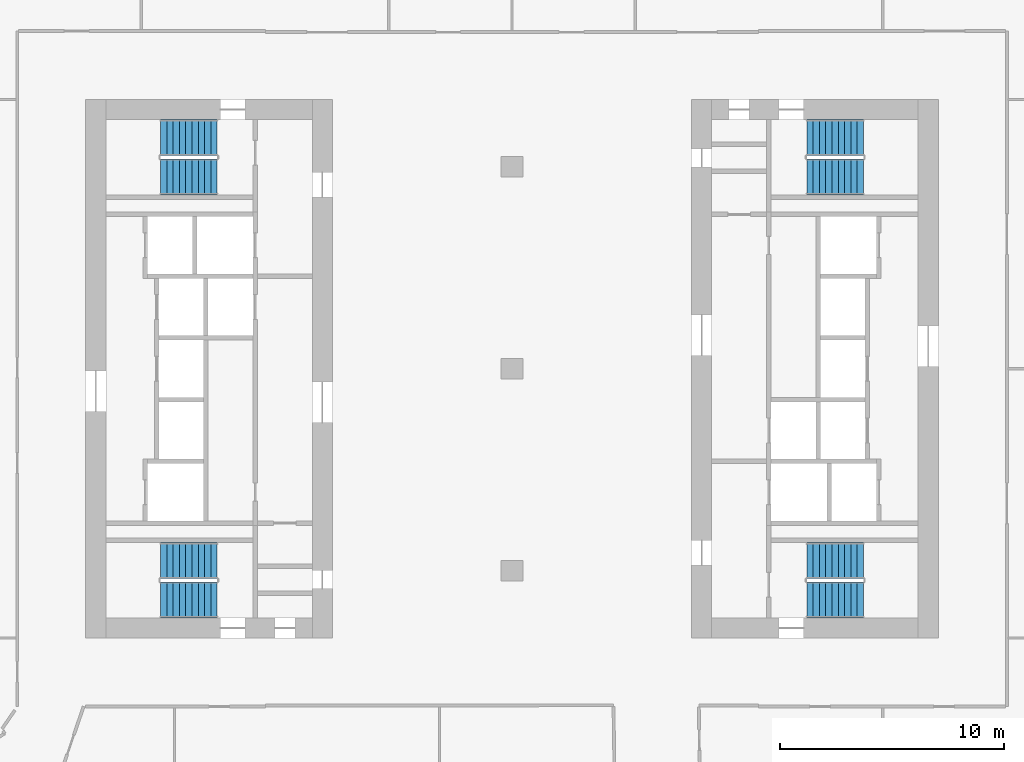
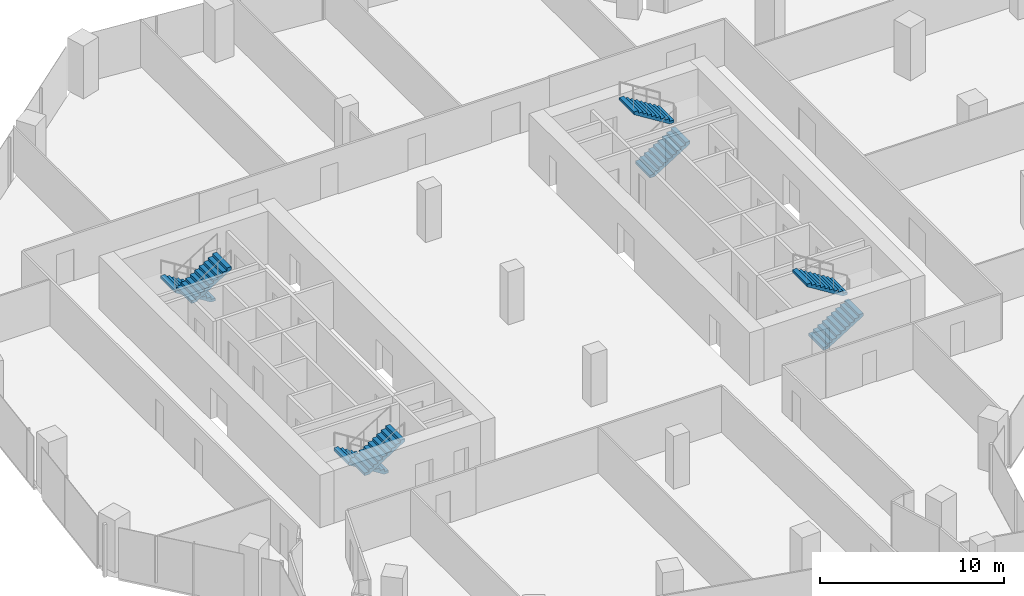
# One storey, part 23 of 24: 8 stair flights, 4 elements without a shape of their own.
"""IFC4 building model written with IfcOpenShell, lengths in metres."""

from ifc_helpers import new_model, si_unit, direction, frame, origin, place, context, subcontext, project, spatial, polyline, outline, extrude, material, type_object, element, aggregate, save


model = new_model("IFC4")

# Units and contexts
model_context = context("Model", 3, precision=1e-05, world=origin(), true_north=direction((0.0, 1.0)))
body_context = subcontext(model_context, "Body", "Model", "MODEL_VIEW")
ifc_project = project(units=[si_unit("LENGTHUNIT", "METRE"), si_unit("AREAUNIT", "SQUARE_METRE"), si_unit("VOLUMEUNIT", "CUBIC_METRE"), si_unit("PLANEANGLEUNIT", "RADIAN"), si_unit("MASSUNIT", "GRAM", prefix="KILO")], contexts=[model_context])

# Site, building, storey
site_placement = place(None, origin())
site = spatial("IfcSite", under=ifc_project, at=site_placement, CompositionType="ELEMENT")
building_placement = place(site_placement, origin())
building = spatial("IfcBuilding", under=site, at=building_placement, Name="Orlundy Tower", CompositionType="ELEMENT")
storey_placement = place(building_placement, frame((0.0, 0.0, 177.60009765625)))
storey = spatial("IfcBuildingStorey", under=building, at=storey_placement, Name="L46", CompositionType="ELEMENT", Elevation=177.60009765625)

# Stair, stair flights
ifc_material_1 = material(Name="Concrete C50/60", Category="concrete")
stair_type = type_object("IfcStairType", Name="Exit Stair 20 risers", PredefinedType="HALF_TURN_STAIR", material=ifc_material_1)
stair_1_placement = place(storey_placement, origin())
stair_1 = element("IfcStair", 1, at=stair_1_placement, inside=storey, type_object=stair_type, Name="L46 Exit Stair ST-W1", PredefinedType="HALF_TURN_STAIR")
ifc_material_2 = material(Name="Concrete C50/60", Category="concrete")
stair_flight_type = type_object("IfcStairFlightType", Name="Stair Flight 10 risers", PredefinedType="STRAIGHT", material=ifc_material_2)
stair_flight_1_placement = place(storey_placement, frame((-13.139892578125, 10.300048828125, 0.0), z_axis=(0.0, 0.0, 1.0), x_axis=(-1.0, 0.0, 0.0)))
stair_flight_1 = element("IfcStairFlight", 2, at=stair_flight_1_placement, type_object=stair_flight_type, Name="ST-W1 flight 1", NumberOfRisers=10, NumberOfTreads=9, PredefinedType="STRAIGHT", RiserHeight=0.175, TreadLength=0.28, context=body_context, shape_type="SweptSolid", body=[
    extrude(outline(polyline([(0.0, 0.0), (0.0, 0.175048828125), (0.280029296875, 0.175048828125), (0.280029296875, 0.35009765625), (0.56005859375, 0.35009765625), (0.56005859375, 0.52490234375), (0.840087890625, 0.52490234375), (0.840087890625, 0.699951171875), (1.1201171875, 0.699951171875), (1.1201171875, 0.875), (1.39990234375, 0.875), (1.39990234375, 1.050048828125), (1.679931640625, 1.050048828125), (1.679931640625, 1.22509765625), (1.9599609375, 1.22509765625), (1.9599609375, 1.39990234375), (2.239990234375, 1.39990234375), (2.239990234375, 1.574951171875), (2.52001953125, 1.574951171875), (2.52001953125, 1.75), (2.52001953125, 1.398193359375), (0.28271484375, 0.0), (0.0, 0.0)])), frame((0.0, 0.800048828125, 0.0), z_axis=(0.0, -1.0, 0.0), x_axis=(1.0, 0.0, 0.0)), (0.0, 0.0, 1.0), 1.60009765625),
])
stair_flight_2_placement = place(storey_placement, frame((-15.659912109375, 8.550048828125, 1.75), z_axis=(0.0, 0.0, 1.0), x_axis=(1.0, 0.0, 0.0)))
stair_flight_2 = element("IfcStairFlight", 3, at=stair_flight_2_placement, type_object=stair_flight_type, Name="ST-W1 flight 2", NumberOfRisers=10, NumberOfTreads=9, PredefinedType="STRAIGHT", RiserHeight=0.175, TreadLength=0.28, context=body_context, shape_type="SweptSolid", body=[
    extrude(outline(polyline([(0.0, 0.0), (0.0, 0.175048828125), (0.280029296875, 0.175048828125), (0.280029296875, 0.35009765625), (0.56005859375, 0.35009765625), (0.56005859375, 0.52490234375), (0.840087890625, 0.52490234375), (0.840087890625, 0.699951171875), (1.1201171875, 0.699951171875), (1.1201171875, 0.875), (1.39990234375, 0.875), (1.39990234375, 1.050048828125), (1.679931640625, 1.050048828125), (1.679931640625, 1.22509765625), (1.9599609375, 1.22509765625), (1.9599609375, 1.39990234375), (2.239990234375, 1.39990234375), (2.239990234375, 1.574951171875), (2.52001953125, 1.574951171875), (2.52001953125, 1.75), (2.52001953125, 1.398193359375), (0.28271484375, 0.0), (0.0, 0.0)])), frame((0.0, 0.800048828125, 0.0), z_axis=(0.0, -1.0, 0.0), x_axis=(1.0, 0.0, 0.0)), (0.0, 0.0, 1.0), 1.60009765625),
])
aggregate(stair_1, [stair_flight_1, stair_flight_2])

stair_2_placement = place(storey_placement, origin())
stair_2 = element("IfcStair", 4, at=stair_2_placement, inside=storey, type_object=stair_type, Name="L46 Exit Stair ST-W2", PredefinedType="HALF_TURN_STAIR")
stair_flight_3_placement = place(storey_placement, frame((-13.139892578125, -8.550048828125, 0.0), z_axis=(0.0, 0.0, 1.0), x_axis=(-1.0, 0.0, 0.0)))
stair_flight_3 = element("IfcStairFlight", 5, at=stair_flight_3_placement, type_object=stair_flight_type, Name="ST-W2 flight 1", NumberOfRisers=10, NumberOfTreads=9, PredefinedType="STRAIGHT", RiserHeight=0.175, TreadLength=0.28, context=body_context, shape_type="SweptSolid", body=[
    extrude(outline(polyline([(0.0, 0.0), (0.0, 0.175048828125), (0.280029296875, 0.175048828125), (0.280029296875, 0.35009765625), (0.56005859375, 0.35009765625), (0.56005859375, 0.52490234375), (0.840087890625, 0.52490234375), (0.840087890625, 0.699951171875), (1.1201171875, 0.699951171875), (1.1201171875, 0.875), (1.39990234375, 0.875), (1.39990234375, 1.050048828125), (1.679931640625, 1.050048828125), (1.679931640625, 1.22509765625), (1.9599609375, 1.22509765625), (1.9599609375, 1.39990234375), (2.239990234375, 1.39990234375), (2.239990234375, 1.574951171875), (2.52001953125, 1.574951171875), (2.52001953125, 1.75), (2.52001953125, 1.398193359375), (0.28271484375, 0.0), (0.0, 0.0)])), frame((0.0, 0.800048828125, 0.0), z_axis=(0.0, -1.0, 0.0), x_axis=(1.0, 0.0, 0.0)), (0.0, 0.0, 1.0), 1.60009765625),
])
stair_flight_4_placement = place(storey_placement, frame((-15.659912109375, -10.300048828125, 1.75), z_axis=(0.0, 0.0, 1.0), x_axis=(1.0, 0.0, 0.0)))
stair_flight_4 = element("IfcStairFlight", 6, at=stair_flight_4_placement, type_object=stair_flight_type, Name="ST-W2 flight 2", NumberOfRisers=10, NumberOfTreads=9, PredefinedType="STRAIGHT", RiserHeight=0.175, TreadLength=0.28, context=body_context, shape_type="SweptSolid", body=[
    extrude(outline(polyline([(0.0, 0.0), (0.0, 0.175048828125), (0.280029296875, 0.175048828125), (0.280029296875, 0.35009765625), (0.56005859375, 0.35009765625), (0.56005859375, 0.52490234375), (0.840087890625, 0.52490234375), (0.840087890625, 0.699951171875), (1.1201171875, 0.699951171875), (1.1201171875, 0.875), (1.39990234375, 0.875), (1.39990234375, 1.050048828125), (1.679931640625, 1.050048828125), (1.679931640625, 1.22509765625), (1.9599609375, 1.22509765625), (1.9599609375, 1.39990234375), (2.239990234375, 1.39990234375), (2.239990234375, 1.574951171875), (2.52001953125, 1.574951171875), (2.52001953125, 1.75), (2.52001953125, 1.398193359375), (0.28271484375, 0.0), (0.0, 0.0)])), frame((0.0, 0.800048828125, 0.0), z_axis=(0.0, -1.0, 0.0), x_axis=(1.0, 0.0, 0.0)), (0.0, 0.0, 1.0), 1.60009765625),
])
aggregate(stair_2, [stair_flight_3, stair_flight_4])

stair_3_placement = place(storey_placement, origin())
stair_3 = element("IfcStair", 7, at=stair_3_placement, inside=storey, type_object=stair_type, Name="L46 Exit Stair ST-E1", PredefinedType="HALF_TURN_STAIR")
stair_flight_5_placement = place(storey_placement, frame((13.139892578125, -10.300048828125, 0.0), z_axis=(0.0, 0.0, 1.0), x_axis=(1.0, 0.0, 0.0)))
stair_flight_5 = element("IfcStairFlight", 8, at=stair_flight_5_placement, type_object=stair_flight_type, Name="ST-E1 flight 1", NumberOfRisers=10, NumberOfTreads=9, PredefinedType="STRAIGHT", RiserHeight=0.175, TreadLength=0.28, context=body_context, shape_type="SweptSolid", body=[
    extrude(outline(polyline([(0.0, 0.0), (0.0, 0.175048828125), (0.280029296875, 0.175048828125), (0.280029296875, 0.35009765625), (0.56005859375, 0.35009765625), (0.56005859375, 0.52490234375), (0.840087890625, 0.52490234375), (0.840087890625, 0.699951171875), (1.1201171875, 0.699951171875), (1.1201171875, 0.875), (1.39990234375, 0.875), (1.39990234375, 1.050048828125), (1.679931640625, 1.050048828125), (1.679931640625, 1.22509765625), (1.9599609375, 1.22509765625), (1.9599609375, 1.39990234375), (2.239990234375, 1.39990234375), (2.239990234375, 1.574951171875), (2.52001953125, 1.574951171875), (2.52001953125, 1.75), (2.52001953125, 1.398193359375), (0.28271484375, 0.0), (0.0, 0.0)])), frame((0.0, 0.800048828125, 0.0), z_axis=(0.0, -1.0, 0.0), x_axis=(1.0, 0.0, 0.0)), (0.0, 0.0, 1.0), 1.60009765625),
])
stair_flight_6_placement = place(storey_placement, frame((15.659912109375, -8.550048828125, 1.75), z_axis=(0.0, 0.0, 1.0), x_axis=(-1.0, 0.0, 0.0)))
stair_flight_6 = element("IfcStairFlight", 9, at=stair_flight_6_placement, type_object=stair_flight_type, Name="ST-E1 flight 2", NumberOfRisers=10, NumberOfTreads=9, PredefinedType="STRAIGHT", RiserHeight=0.175, TreadLength=0.28, context=body_context, shape_type="SweptSolid", body=[
    extrude(outline(polyline([(0.0, 0.0), (0.0, 0.175048828125), (0.280029296875, 0.175048828125), (0.280029296875, 0.35009765625), (0.56005859375, 0.35009765625), (0.56005859375, 0.52490234375), (0.840087890625, 0.52490234375), (0.840087890625, 0.699951171875), (1.1201171875, 0.699951171875), (1.1201171875, 0.875), (1.39990234375, 0.875), (1.39990234375, 1.050048828125), (1.679931640625, 1.050048828125), (1.679931640625, 1.22509765625), (1.9599609375, 1.22509765625), (1.9599609375, 1.39990234375), (2.239990234375, 1.39990234375), (2.239990234375, 1.574951171875), (2.52001953125, 1.574951171875), (2.52001953125, 1.75), (2.52001953125, 1.398193359375), (0.28271484375, 0.0), (0.0, 0.0)])), frame((0.0, 0.800048828125, 0.0), z_axis=(0.0, -1.0, 0.0), x_axis=(1.0, 0.0, 0.0)), (0.0, 0.0, 1.0), 1.60009765625),
])
aggregate(stair_3, [stair_flight_5, stair_flight_6])

stair_4_placement = place(storey_placement, origin())
stair_4 = element("IfcStair", 10, at=stair_4_placement, inside=storey, type_object=stair_type, Name="L46 Exit Stair ST-E2", PredefinedType="HALF_TURN_STAIR")
stair_flight_7_placement = place(storey_placement, frame((13.139892578125, 8.550048828125, 0.0), z_axis=(0.0, 0.0, 1.0), x_axis=(1.0, 0.0, 0.0)))
stair_flight_7 = element("IfcStairFlight", 11, at=stair_flight_7_placement, type_object=stair_flight_type, Name="ST-E2 flight 1", NumberOfRisers=10, NumberOfTreads=9, PredefinedType="STRAIGHT", RiserHeight=0.175, TreadLength=0.28, context=body_context, shape_type="SweptSolid", body=[
    extrude(outline(polyline([(0.0, 0.0), (0.0, 0.175048828125), (0.280029296875, 0.175048828125), (0.280029296875, 0.35009765625), (0.56005859375, 0.35009765625), (0.56005859375, 0.52490234375), (0.840087890625, 0.52490234375), (0.840087890625, 0.699951171875), (1.1201171875, 0.699951171875), (1.1201171875, 0.875), (1.39990234375, 0.875), (1.39990234375, 1.050048828125), (1.679931640625, 1.050048828125), (1.679931640625, 1.22509765625), (1.9599609375, 1.22509765625), (1.9599609375, 1.39990234375), (2.239990234375, 1.39990234375), (2.239990234375, 1.574951171875), (2.52001953125, 1.574951171875), (2.52001953125, 1.75), (2.52001953125, 1.398193359375), (0.28271484375, 0.0), (0.0, 0.0)])), frame((0.0, 0.800048828125, 0.0), z_axis=(0.0, -1.0, 0.0), x_axis=(1.0, 0.0, 0.0)), (0.0, 0.0, 1.0), 1.60009765625),
])
stair_flight_8_placement = place(storey_placement, frame((15.659912109375, 10.300048828125, 1.75), z_axis=(0.0, 0.0, 1.0), x_axis=(-1.0, 0.0, 0.0)))
stair_flight_8 = element("IfcStairFlight", 12, at=stair_flight_8_placement, type_object=stair_flight_type, Name="ST-E2 flight 2", NumberOfRisers=10, NumberOfTreads=9, PredefinedType="STRAIGHT", RiserHeight=0.175, TreadLength=0.28, context=body_context, shape_type="SweptSolid", body=[
    extrude(outline(polyline([(0.0, 0.0), (0.0, 0.175048828125), (0.280029296875, 0.175048828125), (0.280029296875, 0.35009765625), (0.56005859375, 0.35009765625), (0.56005859375, 0.52490234375), (0.840087890625, 0.52490234375), (0.840087890625, 0.699951171875), (1.1201171875, 0.699951171875), (1.1201171875, 0.875), (1.39990234375, 0.875), (1.39990234375, 1.050048828125), (1.679931640625, 1.050048828125), (1.679931640625, 1.22509765625), (1.9599609375, 1.22509765625), (1.9599609375, 1.39990234375), (2.239990234375, 1.39990234375), (2.239990234375, 1.574951171875), (2.52001953125, 1.574951171875), (2.52001953125, 1.75), (2.52001953125, 1.398193359375), (0.28271484375, 0.0), (0.0, 0.0)])), frame((0.0, 0.800048828125, 0.0), z_axis=(0.0, -1.0, 0.0), x_axis=(1.0, 0.0, 0.0)), (0.0, 0.0, 1.0), 1.60009765625),
])
aggregate(stair_4, [stair_flight_7, stair_flight_8])

save(model, "model.ifc")
